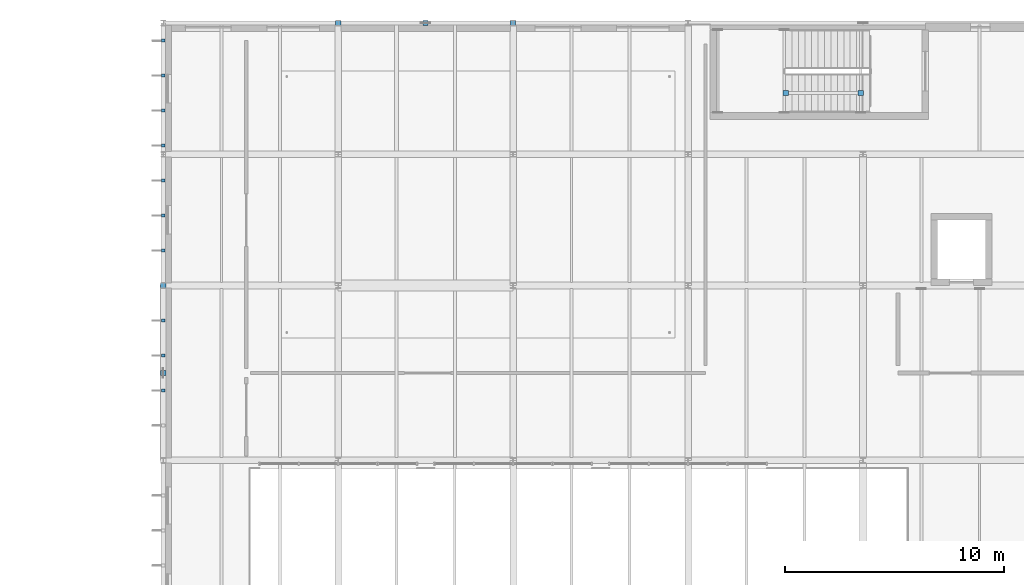
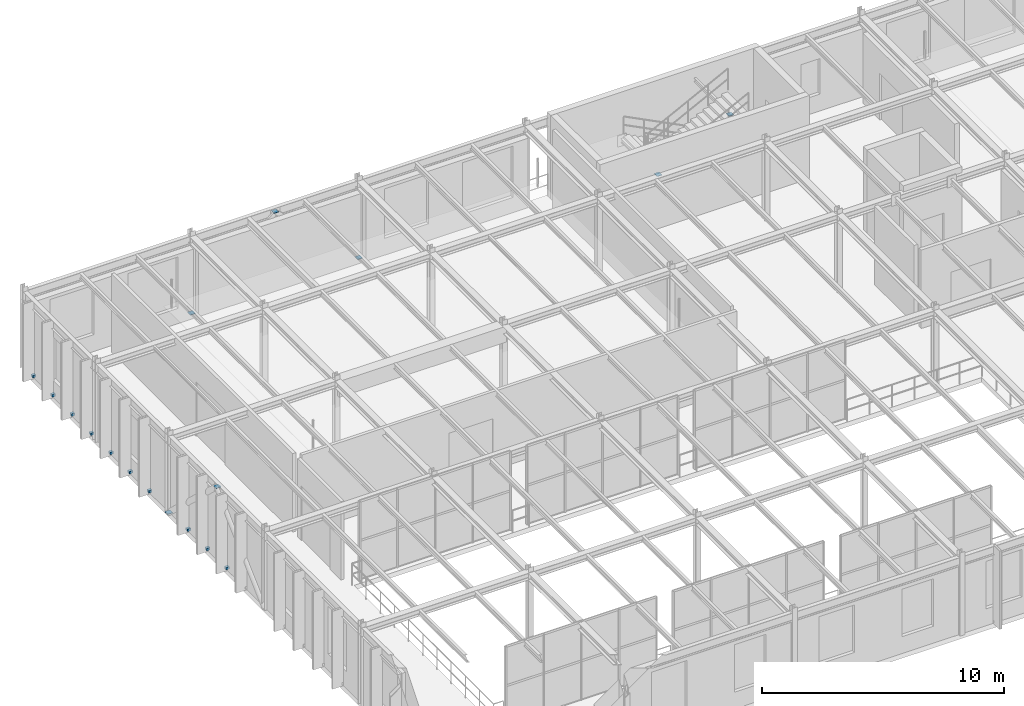
# One storey, part 112 of 124: 17 discrete accessories.
"""IFC4 building model written with IfcOpenShell, lengths in metres."""

from ifc_helpers import new_model, si_unit, direction, frame, origin, origin_2d, place, context, subcontext, project, spatial, rectangle, extrude, material, type_object, element, save


model = new_model("IFC4")

# Units and contexts
model_context = context("Model", 3, precision=1e-05, world=origin(), true_north=direction((0.0, 1.0)))
body_context = subcontext(model_context, "Body", "Model", "MODEL_VIEW")
ifc_project = project(units=[si_unit("LENGTHUNIT", "METRE"), si_unit("AREAUNIT", "SQUARE_METRE"), si_unit("VOLUMEUNIT", "CUBIC_METRE"), si_unit("PLANEANGLEUNIT", "RADIAN"), si_unit("MASSUNIT", "GRAM", prefix="KILO")], contexts=[model_context])

# Site, building, storey
site_placement = place(None, origin())
site = spatial("IfcSite", under=ifc_project, at=site_placement, CompositionType="ELEMENT")
building_placement = place(site_placement, origin())
building = spatial("IfcBuilding", under=site, at=building_placement, Name="Sundkrona Museum", CompositionType="ELEMENT")
storey_placement = place(building_placement, frame((0.0, 0.0, 17.60009765625)))
storey = spatial("IfcBuildingStorey", under=building, at=storey_placement, Name="L03", CompositionType="ELEMENT", Elevation=17.60009765625)

# Discrete accessories
ifc_material = material(Name="Stainless Steel EN 1.4404 Cleat", Category="steel")
discrete_accessory_type = type_object("IfcDiscreteAccessoryType", Name="BRK-FIN-01", PredefinedType="BRACKET", material=ifc_material)
for number, where, z_axis, x_axis, name in (
    (1, (24.0, 114.0, -0.012451171875), (0.0, 0.0, 1.0), (1.0, 0.0, 0.0), "Brace and Strut End Connection Plate BR-L03-017A-1"),
    (2, (28.0, 114.0, 3.7275390625), (0.0, 0.0, 1.0), (1.0, 0.0, 0.0), "Brace and Strut End Connection Plate BR-L03-017A-2"),
    (3, (32.0, 114.0, -0.012451171875), (0.0, 0.0, 1.0), (1.0, 0.0, 0.0), "Brace and Strut End Connection Plate BR-L03-017B-1"),
    (4, (16.0, 98.0, 3.7275390625), (0.0, 0.0, 1.0), (1.0, 0.0, 0.0), "Brace and Strut End Connection Plate BR-L03-024A-2"),
    (5, (16.0, 102.0, -0.012451171875), (0.0, 0.0, 1.0), (1.0, 0.0, 0.0), "Brace and Strut End Connection Plate BR-L03-024B-1"),
    (6, (44.465087890625, 110.800048828125, 1.767333984375), (0.0, 0.0, 1.0), (1.0, 0.0, 0.0), "Brace and Strut End Connection Plate RK-ST-ST-3-L03-2-1"),
    (7, (47.89990234375, 110.800048828125, 3.600830078125), (0.0, 0.0, 1.0), (1.0, 0.0, 0.0), "Brace and Strut End Connection Plate RK-ST-ST-3-L03-2-2"),
):
    element("IfcDiscreteAccessory", number, at=place(storey_placement, frame(where, z_axis=z_axis, x_axis=x_axis)), inside=storey, type_object=discrete_accessory_type, Name=name, PredefinedType="BRACKET", context=body_context, shape_type="SweptSolid", body=[
        extrude(rectangle(XDim=0.239990234375, YDim=0.239990234375, at=origin_2d()), origin(), (0.0, 0.0, 1.0), 0.02490234375),
    ])
for number, where, z_axis, x_axis, name in (
    (8, (16.0, 97.199951171875, 0.059814453125), (0.0, 0.0, 1.0), (1.0, 0.0, 0.0), "L03 Fin Bracket W-227"),
    (9, (16.0, 98.800048828125, 0.059814453125), (0.0, 0.0, 1.0), (1.0, 0.0, 0.0), "L03 Fin Bracket W-228"),
    (10, (16.0, 100.39990234375, 0.059814453125), (0.0, 0.0, 1.0), (1.0, 0.0, 0.0), "L03 Fin Bracket W-229"),
    (11, (16.0, 103.60009765625, 0.059814453125), (0.0, 0.0, 1.0), (1.0, 0.0, 0.0), "L03 Fin Bracket W-230"),
    (12, (16.0, 105.199951171875, 0.059814453125), (0.0, 0.0, 1.0), (1.0, 0.0, 0.0), "L03 Fin Bracket W-231"),
    (13, (16.0, 106.800048828125, 0.059814453125), (0.0, 0.0, 1.0), (1.0, 0.0, 0.0), "L03 Fin Bracket W-232"),
    (14, (16.0, 108.39990234375, 0.059814453125), (0.0, 0.0, 1.0), (1.0, 0.0, 0.0), "L03 Fin Bracket W-233"),
    (15, (16.0, 110.0, 0.059814453125), (0.0, 0.0, 1.0), (1.0, 0.0, 0.0), "L03 Fin Bracket W-234"),
    (16, (16.0, 111.60009765625, 0.059814453125), (0.0, 0.0, 1.0), (1.0, 0.0, 0.0), "L03 Fin Bracket W-235"),
    (17, (16.0, 113.199951171875, 0.059814453125), (0.0, 0.0, 1.0), (1.0, 0.0, 0.0), "L03 Fin Bracket W-236"),
):
    element("IfcDiscreteAccessory", number, at=place(storey_placement, frame(where, z_axis=z_axis, x_axis=x_axis)), inside=storey, type_object=discrete_accessory_type, Name=name, PredefinedType="BRACKET", context=body_context, shape_type="SweptSolid", body=[
        extrude(rectangle(XDim=0.159912109375, YDim=0.139892578125, at=origin_2d()), origin(), (0.0, 0.0, 1.0), 0.1201171875),
    ])

save(model, "model.ifc")
